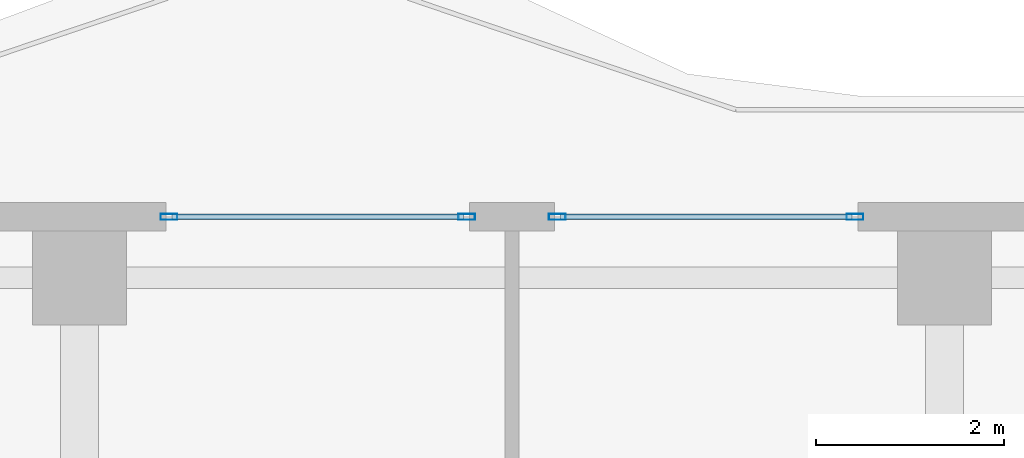
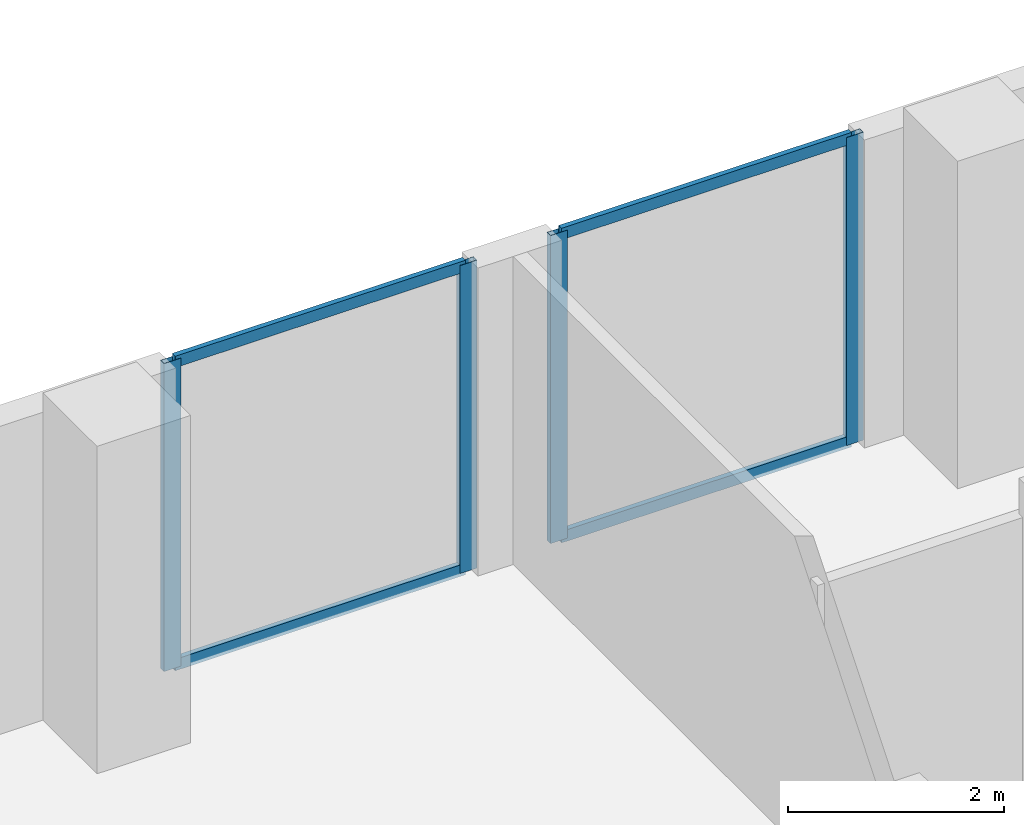
# One storey, part 15 of 25: 8 members, 2 elements without a shape of their own.
"""IFC4 building model written with IfcOpenShell, lengths in metres."""

import ifcopenshell
import ifcopenshell.guid

model = None  # the IFC model being written
_history = None  # IfcOwnerHistory: only IFC2X3 demands one
_inside = {}  # id of a spatial element -> (the spatial element, [elements in it])
_under = {}  # id of a project, library or spatial element -> (it, [spatial elements below it])
_declared = {}  # id of a project -> (the project, [libraries it declares])
_typed = {}  # id of a type object -> (the type object, [elements of that type])
_made_of = {}  # id of a material, layer set ... -> (it, [elements and type objects made of it])


def new_model(schema):
    """Start an empty IFC model of exactly this schema.

    Asked for "IFC4X3", IfcOpenShell would pick the latest addendum, in which some entities
    have other attributes; the version numbers below select the first issue.
    IFC2X3 requires an IfcOwnerHistory on every rooted entity: one is made here for all.
    """
    global model, _history
    if schema == "IFC4X3":
        model = ifcopenshell.file(schema_version=(4, 3, 0, 0))
    else:
        model = ifcopenshell.file(schema=schema)
    _inside.clear()
    _under.clear()
    _declared.clear()
    _typed.clear()
    _made_of.clear()
    _history = None
    if model.schema == "IFC2X3":
        org = make("IfcOrganization", Name="unknown")
        user = make(
            "IfcPersonAndOrganization",
            ThePerson=make("IfcPerson", FamilyName="unknown"),
            TheOrganization=org,
        )
        app = make(
            "IfcApplication",
            ApplicationDeveloper=org,
            Version="unknown",
            ApplicationFullName="unknown",
            ApplicationIdentifier="unknown",
        )
        _history = make(
            "IfcOwnerHistory",
            OwningUser=user,
            OwningApplication=app,
            ChangeAction="ADDED",
            CreationDate=0,
        )
    return model


def make(cls, **values):
    """One entity of the class cls with the attributes given. An attribute that is None is left unset."""
    return model.create_entity(
        cls, **{name: value for name, value in values.items() if value is not None}
    )


def rooted(cls, **values):
    """An entity with a GlobalId (a new one), such as an element, a storey or a relation."""
    return make(cls, GlobalId=ifcopenshell.guid.new(), OwnerHistory=_history, **values)


def si_unit(unit_type, name, prefix=None):
    """IfcSIUnit, for example si_unit("LENGTHUNIT", "METRE", prefix="MILLI")."""
    return make("IfcSIUnit", UnitType=unit_type, Prefix=prefix, Name=name)


def assignment(units):
    """IfcUnitAssignment: the units of a project."""
    return None if units is None else make("IfcUnitAssignment", Units=units)


def point(xyz):
    """IfcCartesianPoint."""
    return None if xyz is None else make("IfcCartesianPoint", Coordinates=xyz)


def direction(xyz):
    """IfcDirection."""
    return None if xyz is None else make("IfcDirection", DirectionRatios=xyz)


def frame(location, z_axis=None, x_axis=None):
    """IfcAxis2Placement3D, a coordinate frame: its origin and axes. An axis left out is left unset."""
    return make(
        "IfcAxis2Placement3D",
        Location=point(location),
        Axis=direction(z_axis),
        RefDirection=direction(x_axis),
    )


def frame_2d(location, x_axis=None):
    """IfcAxis2Placement2D, a coordinate frame in the plane: its origin and x axis."""
    return make(
        "IfcAxis2Placement2D", Location=point(location), RefDirection=direction(x_axis)
    )


def origin():
    """The frame at (0, 0, 0) with its axes left unset."""
    return frame((0.0, 0.0, 0.0))


def origin_2d():
    """The frame at (0, 0) in the plane with its x axis left unset."""
    return frame_2d((0.0, 0.0))


def place(relative_to, where):
    """IfcLocalPlacement: puts the frame where relative to a parent placement (None: the world)."""
    return make(
        "IfcLocalPlacement", PlacementRelTo=relative_to, RelativePlacement=where
    )


def context(
    kind, dimensions, precision=None, world=None, true_north=None, identifier=None
):
    """IfcGeometricRepresentationContext, for example the 3D "Model" context."""
    return make(
        "IfcGeometricRepresentationContext",
        ContextIdentifier=identifier,
        ContextType=kind,
        CoordinateSpaceDimension=dimensions,
        Precision=precision,
        WorldCoordinateSystem=world,
        TrueNorth=true_north,
    )


def subcontext(parent, identifier, kind, view, scale=None):
    """IfcGeometricRepresentationSubContext, for example "Body" below "Model"."""
    return make(
        "IfcGeometricRepresentationSubContext",
        ContextIdentifier=identifier,
        ContextType=kind,
        ParentContext=parent,
        TargetScale=scale,
        TargetView=view,
    )


def project(units=None, contexts=None):
    """IfcProject with its units and contexts."""
    return rooted(
        "IfcProject",
        Name="project",
        RepresentationContexts=contexts,
        UnitsInContext=assignment(units),
    )


def spatial(cls, under=None, at=None, **own):
    """A site, building, storey or space (cls), placed at a placement, below another one or the project."""
    s = rooted(cls, ObjectPlacement=at, **own)
    if under is not None:
        _under.setdefault(under.id(), (under, []))[1].append(s)
    return s


def profile(cls, at=None, kind="AREA", **sizes):
    """A parametric profile (cls). Its sizes go by their IFC names, for example OverallWidth=200.0."""
    return make(cls, ProfileType=kind, Position=at, **sizes)


def hollow_rectangle(**sizes):
    """IfcRectangleHollowProfileDef."""
    return profile("IfcRectangleHollowProfileDef", **sizes)


def extrude(swept, where, along, depth):
    """IfcExtrudedAreaSolid: the profile swept, set in the frame where, extruded along a direction by depth."""
    return make(
        "IfcExtrudedAreaSolid",
        SweptArea=swept,
        Position=where,
        ExtrudedDirection=direction(along),
        Depth=depth,
    )


def shape(context_of_items, identifier, shape_type, items):
    """IfcShapeRepresentation: the items that make up one representation, for example the "Body"."""
    return make(
        "IfcShapeRepresentation",
        ContextOfItems=context_of_items,
        RepresentationIdentifier=identifier,
        RepresentationType=shape_type,
        Items=items,
    )


def material(Name=None, Category=None):
    """IfcMaterial."""
    return make("IfcMaterial", Name=Name, Category=Category)


def layer(
    of_material, thickness, ventilated=None, Name=None, Category=None, Priority=None
):
    """IfcMaterialLayer: one layer of a wall or slab, of a material (None: an air gap)."""
    return make(
        "IfcMaterialLayer",
        Material=of_material,
        LayerThickness=thickness,
        IsVentilated=ventilated,
        Name=Name,
        Category=Category,
        Priority=Priority,
    )


def layer_set(layers, Name=None):
    """IfcMaterialLayerSet."""
    return make("IfcMaterialLayerSet", MaterialLayers=layers, LayerSetName=Name)


def material_profile(
    of_material, cross_section, Name=None, Category=None, Priority=None
):
    """IfcMaterialProfile: a cross section and its material."""
    return make(
        "IfcMaterialProfile",
        Name=Name,
        Material=of_material,
        Profile=cross_section,
        Priority=Priority,
        Category=Category,
    )


def profile_set(profiles, Name=None, composite=None):
    """IfcMaterialProfileSet."""
    return make(
        "IfcMaterialProfileSet",
        Name=Name,
        MaterialProfiles=profiles,
        CompositeProfile=composite,
    )


def made_of(thing, what):
    """Note that an element or type object is made of a material, layer set ...; save() writes the relation."""
    if what is not None:
        _made_of.setdefault(what.id(), (what, []))[1].append(thing)
    return thing


def type_object(cls, material=None, **own):
    """A type object (cls), such as IfcWallType, which elements share."""
    return made_of(rooted(cls, **own), material)


def element(
    cls,
    number,
    at=None,
    inside=None,
    cuts=None,
    type_object=None,
    material=None,
    context=None,
    identifier="Body",
    shape_type=None,
    held_by="IfcProductDefinitionShape",
    body=None,
    shapes=None,
    **own,
):
    """One element of the class cls, such as IfcWall. Its Tag is "e" and its number.

    at: its placement. inside: the storey or other place that contains it. cuts: it is an
    opening in that element (IfcRelVoidsElement). A single representation is given by context,
    identifier, shape_type and body (its items); several are given by shapes. held_by: the class
    of the entity that holds the representations. save() writes the other relations.
    """
    e = rooted(cls, Tag="e%d" % number, ObjectPlacement=at, **own)
    if body is not None:
        shapes = [shape(context, identifier, shape_type, body)]
    if shapes is not None:
        e.Representation = make(held_by, Representations=shapes)
    if inside is not None:
        _inside.setdefault(inside.id(), (inside, []))[1].append(e)
    if cuts is not None:
        rooted(
            "IfcRelVoidsElement", RelatingBuildingElement=cuts, RelatedOpeningElement=e
        )
    if type_object is not None:
        _typed.setdefault(type_object.id(), (type_object, []))[1].append(e)
    return made_of(e, material)


def aggregate(whole, parts):
    """IfcRelAggregates: a whole, such as a stair, and the parts it consists of."""
    return rooted("IfcRelAggregates", RelatingObject=whole, RelatedObjects=parts)


def save(model, path):
    """Write the relations noted so far, then the file.

    IfcRelAggregates (storeys below a building ...), IfcRelContainedInSpatialStructure (elements
    in a storey), IfcRelDefinesByType, IfcRelAssociatesMaterial and IfcRelDeclares: one each for
    every whole, place, type object, material and project.
    """
    for whole, parts in _under.values():
        aggregate(whole, parts)
    for where, things in _inside.values():
        rooted(
            "IfcRelContainedInSpatialStructure",
            RelatedElements=things,
            RelatingStructure=where,
        )
    for kind, things in _typed.values():
        rooted("IfcRelDefinesByType", RelatedObjects=things, RelatingType=kind)
    for what, things in _made_of.values():
        rooted("IfcRelAssociatesMaterial", RelatedObjects=things, RelatingMaterial=what)
    for by, libraries in _declared.values():
        rooted("IfcRelDeclares", RelatingContext=by, RelatedDefinitions=libraries)
    model.write(path)


model = new_model("IFC4")

# Units and contexts
model_context = context("Model", 3, precision=1e-05, world=origin(), true_north=direction((0.0, 1.0)))
body_context = subcontext(model_context, "Body", "Model", "MODEL_VIEW")
ifc_project = project(units=[si_unit("LENGTHUNIT", "METRE"), si_unit("AREAUNIT", "SQUARE_METRE"), si_unit("VOLUMEUNIT", "CUBIC_METRE"), si_unit("PLANEANGLEUNIT", "RADIAN"), si_unit("MASSUNIT", "GRAM", prefix="KILO")], contexts=[model_context])

# Site, building, storey
site_placement = place(None, origin())
site = spatial("IfcSite", under=ifc_project, at=site_placement, CompositionType="ELEMENT")
building_placement = place(site_placement, origin())
building = spatial("IfcBuilding", under=site, at=building_placement, Name="Zuhayl Quay Hotel", CompositionType="ELEMENT")
storey_placement = place(building_placement, frame((0.0, 0.0, 250.75)))
storey = spatial("IfcBuildingStorey", under=building, at=storey_placement, Name="L63", CompositionType="ELEMENT", Elevation=250.75)

# Curtain wall, members
ifc_material_1 = material(Name="Anodised Aluminium 6063-T6", Category="aluminium")
ifc_layer = layer(ifc_material_1, 0.169921875, Name="Anodised Aluminium 6063-T6", Category="aluminium")
ifc_layer_set = layer_set([ifc_layer], Name="Anodised Aluminium 6063-T6")
curtain_wall_type = type_object("IfcCurtainWallType", Name="CW_SYS_Z4", PredefinedType="USERDEFINED", material=ifc_layer_set)
curtain_wall_1_placement = place(storey_placement, origin())
curtain_wall_1 = element("IfcCurtainWall", 1, at=curtain_wall_1_placement, inside=storey, type_object=curtain_wall_type, Name="L63 Curtain Wall ENV_L63_N_CW2", ObjectType="UNITISED CURTAIN WALL", PredefinedType="USERDEFINED")
ifc_material_2 = material(Name="Black-anodised aluminium 6063-T6", Category="aluminium")
ifc_material_profile_1 = material_profile(ifc_material_2, hollow_rectangle(XDim=0.06494140625, YDim=0.179931640625, WallThickness=0.00341796875, at=origin_2d()), Name="ALU180X65")
ifc_profile_set_1 = profile_set([ifc_material_profile_1], Name="Black-anodised aluminium 6063-T6")
member_type_1 = type_object("IfcMemberType", Name="MB_CW_MUL_180", PredefinedType="MULLION", material=ifc_profile_set_1)
member_1_placement = place(storey_placement, frame((-3.6474609375, 39.0, 0.0), z_axis=(0.0, 0.0, 1.0), x_axis=(0.0, 1.0, 0.0)))
member_1 = element("IfcMember", 2, at=member_1_placement, type_object=member_type_1, Name="CW-Z4 mullion 1", PredefinedType="MULLION", context=body_context, shape_type="SweptSolid", body=[
    extrude(hollow_rectangle(XDim=0.06494140625, YDim=0.179931640625, WallThickness=0.00341796875, at=origin_2d()), origin(), (0.0, 0.0, 1.0), 3.47998046875),
])
member_2_placement = place(storey_placement, frame((-0.482421875, 39.0, 0.0), z_axis=(0.0, 0.0, 1.0), x_axis=(0.0, 1.0, 0.0)))
member_2 = element("IfcMember", 3, at=member_2_placement, type_object=member_type_1, Name="CW-Z4 mullion 2", PredefinedType="MULLION", context=body_context, shape_type="SweptSolid", body=[
    extrude(hollow_rectangle(XDim=0.06494140625, YDim=0.179931640625, WallThickness=0.00341796875, at=origin_2d()), origin(), (0.0, 0.0, 1.0), 3.47998046875),
])

curtain_wall_2_placement = place(storey_placement, origin())
curtain_wall_2 = element("IfcCurtainWall", 4, at=curtain_wall_2_placement, inside=storey, type_object=curtain_wall_type, Name="L63 Curtain Wall ENV_L63_N_CW3", ObjectType="UNITISED CURTAIN WALL", PredefinedType="USERDEFINED")
member_3_placement = place(storey_placement, frame((0.482421875, 39.0, 0.0), z_axis=(0.0, 0.0, 1.0), x_axis=(0.0, 1.0, 0.0)))
member_3 = element("IfcMember", 5, at=member_3_placement, type_object=member_type_1, Name="CW-Z4 mullion 1", PredefinedType="MULLION", context=body_context, shape_type="SweptSolid", body=[
    extrude(hollow_rectangle(XDim=0.06494140625, YDim=0.179931640625, WallThickness=0.00341796875, at=origin_2d()), origin(), (0.0, 0.0, 1.0), 3.47998046875),
])
member_4_placement = place(storey_placement, frame((3.6474609375, 39.0, 0.0), z_axis=(0.0, 0.0, 1.0), x_axis=(0.0, 1.0, 0.0)))
member_4 = element("IfcMember", 6, at=member_4_placement, type_object=member_type_1, Name="CW-Z4 mullion 2", PredefinedType="MULLION", context=body_context, shape_type="SweptSolid", body=[
    extrude(hollow_rectangle(XDim=0.06494140625, YDim=0.179931640625, WallThickness=0.00341796875, at=origin_2d()), origin(), (0.0, 0.0, 1.0), 3.47998046875),
])

# Member
ifc_material_profile_2 = material_profile(ifc_material_2, hollow_rectangle(XDim=0.054931640625, YDim=0.1298828125, WallThickness=0.0029296875, at=origin_2d()), Name="ALU130X55")
ifc_profile_set_2 = profile_set([ifc_material_profile_2], Name="Black-anodised aluminium 6063-T6")
member_type_2 = type_object("IfcMemberType", Name="MB_CW_TRN_130", PredefinedType="USERDEFINED", material=ifc_profile_set_2)
member_5_placement = place(storey_placement, frame((-3.614990234375, 39.0, 0.027587890625), z_axis=(1.0, 0.0, 0.0), x_axis=(0.0, 1.0, 0.0)))
member_5 = element("IfcMember", 7, at=member_5_placement, type_object=member_type_2, Name="CW-Z4 transom 1.1", ObjectType="TRANSOM", PredefinedType="USERDEFINED", context=body_context, shape_type="SweptSolid", body=[
    extrude(hollow_rectangle(XDim=0.054931640625, YDim=0.1298828125, WallThickness=0.0029296875, at=origin_2d()), origin(), (0.0, 0.0, 1.0), 3.10009765625),
])

member_6_placement = place(storey_placement, frame((-3.614990234375, 39.0, 3.452392578125), z_axis=(1.0, 0.0, 0.0), x_axis=(0.0, 1.0, 0.0)))
member_6 = element("IfcMember", 8, at=member_6_placement, type_object=member_type_2, Name="CW-Z4 transom 1.2", ObjectType="TRANSOM", PredefinedType="USERDEFINED", context=body_context, shape_type="SweptSolid", body=[
    extrude(hollow_rectangle(XDim=0.054931640625, YDim=0.1298828125, WallThickness=0.0029296875, at=origin_2d()), origin(), (0.0, 0.0, 1.0), 3.10009765625),
])

aggregate(curtain_wall_1, [member_1, member_2, member_5, member_6])

member_7_placement = place(storey_placement, frame((0.514892578125, 39.0, 0.027587890625), z_axis=(1.0, 0.0, 0.0), x_axis=(0.0, 1.0, 0.0)))
member_7 = element("IfcMember", 9, at=member_7_placement, type_object=member_type_2, Name="CW-Z4 transom 1.1", ObjectType="TRANSOM", PredefinedType="USERDEFINED", context=body_context, shape_type="SweptSolid", body=[
    extrude(hollow_rectangle(XDim=0.054931640625, YDim=0.1298828125, WallThickness=0.0029296875, at=origin_2d()), origin(), (0.0, 0.0, 1.0), 3.10009765625),
])

member_8_placement = place(storey_placement, frame((0.514892578125, 39.0, 3.452392578125), z_axis=(1.0, 0.0, 0.0), x_axis=(0.0, 1.0, 0.0)))
member_8 = element("IfcMember", 10, at=member_8_placement, type_object=member_type_2, Name="CW-Z4 transom 1.2", ObjectType="TRANSOM", PredefinedType="USERDEFINED", context=body_context, shape_type="SweptSolid", body=[
    extrude(hollow_rectangle(XDim=0.054931640625, YDim=0.1298828125, WallThickness=0.0029296875, at=origin_2d()), origin(), (0.0, 0.0, 1.0), 3.10009765625),
])

aggregate(curtain_wall_2, [member_3, member_4, member_7, member_8])

save(model, "model.ifc")
